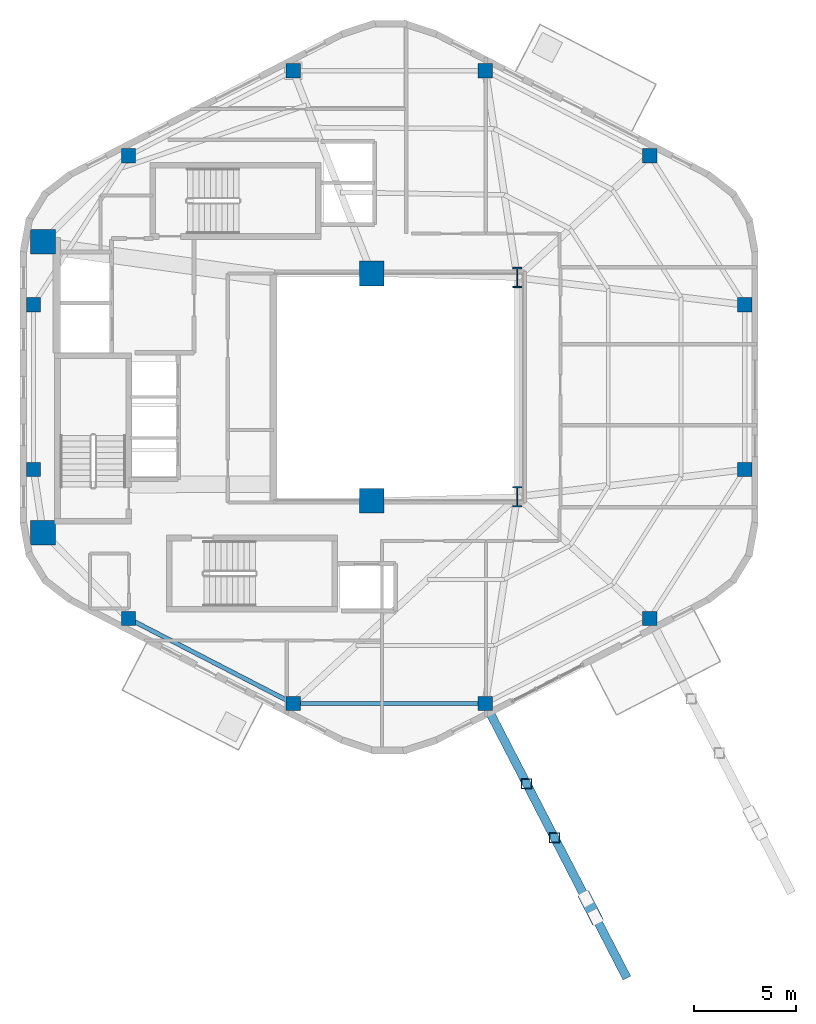
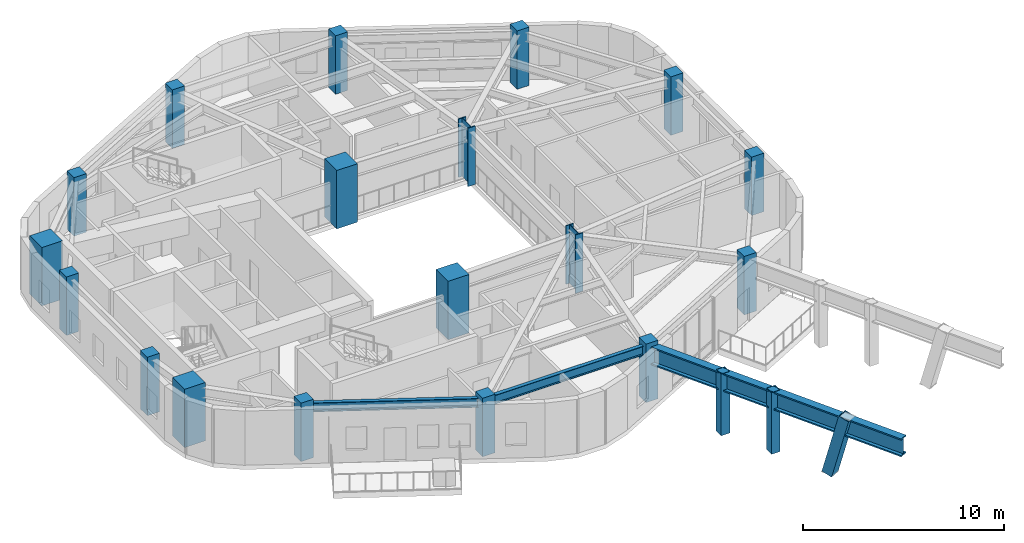
# One storey, part 1 of 10: 18 columns, 3 beams, 3 members.
"""IFC4 building model written with IfcOpenShell, lengths in metres."""

import ifcopenshell
import ifcopenshell.guid

model = None  # the IFC model being written
_history = None  # IfcOwnerHistory: only IFC2X3 demands one
_inside = {}  # id of a spatial element -> (the spatial element, [elements in it])
_under = {}  # id of a project, library or spatial element -> (it, [spatial elements below it])
_declared = {}  # id of a project -> (the project, [libraries it declares])
_typed = {}  # id of a type object -> (the type object, [elements of that type])
_made_of = {}  # id of a material, layer set ... -> (it, [elements and type objects made of it])


def new_model(schema):
    """Start an empty IFC model of exactly this schema.

    Asked for "IFC4X3", IfcOpenShell would pick the latest addendum, in which some entities
    have other attributes; the version numbers below select the first issue.
    IFC2X3 requires an IfcOwnerHistory on every rooted entity: one is made here for all.
    """
    global model, _history
    if schema == "IFC4X3":
        model = ifcopenshell.file(schema_version=(4, 3, 0, 0))
    else:
        model = ifcopenshell.file(schema=schema)
    _inside.clear()
    _under.clear()
    _declared.clear()
    _typed.clear()
    _made_of.clear()
    _history = None
    if model.schema == "IFC2X3":
        org = make("IfcOrganization", Name="unknown")
        user = make(
            "IfcPersonAndOrganization",
            ThePerson=make("IfcPerson", FamilyName="unknown"),
            TheOrganization=org,
        )
        app = make(
            "IfcApplication",
            ApplicationDeveloper=org,
            Version="unknown",
            ApplicationFullName="unknown",
            ApplicationIdentifier="unknown",
        )
        _history = make(
            "IfcOwnerHistory",
            OwningUser=user,
            OwningApplication=app,
            ChangeAction="ADDED",
            CreationDate=0,
        )
    return model


def make(cls, **values):
    """One entity of the class cls with the attributes given. An attribute that is None is left unset."""
    return model.create_entity(
        cls, **{name: value for name, value in values.items() if value is not None}
    )


def rooted(cls, **values):
    """An entity with a GlobalId (a new one), such as an element, a storey or a relation."""
    return make(cls, GlobalId=ifcopenshell.guid.new(), OwnerHistory=_history, **values)


def si_unit(unit_type, name, prefix=None):
    """IfcSIUnit, for example si_unit("LENGTHUNIT", "METRE", prefix="MILLI")."""
    return make("IfcSIUnit", UnitType=unit_type, Prefix=prefix, Name=name)


def assignment(units):
    """IfcUnitAssignment: the units of a project."""
    return None if units is None else make("IfcUnitAssignment", Units=units)


def point(xyz):
    """IfcCartesianPoint."""
    return None if xyz is None else make("IfcCartesianPoint", Coordinates=xyz)


def direction(xyz):
    """IfcDirection."""
    return None if xyz is None else make("IfcDirection", DirectionRatios=xyz)


def frame(location, z_axis=None, x_axis=None):
    """IfcAxis2Placement3D, a coordinate frame: its origin and axes. An axis left out is left unset."""
    return make(
        "IfcAxis2Placement3D",
        Location=point(location),
        Axis=direction(z_axis),
        RefDirection=direction(x_axis),
    )


def frame_2d(location, x_axis=None):
    """IfcAxis2Placement2D, a coordinate frame in the plane: its origin and x axis."""
    return make(
        "IfcAxis2Placement2D", Location=point(location), RefDirection=direction(x_axis)
    )


def origin():
    """The frame at (0, 0, 0) with its axes left unset."""
    return frame((0.0, 0.0, 0.0))


def origin_2d():
    """The frame at (0, 0) in the plane with its x axis left unset."""
    return frame_2d((0.0, 0.0))


def place(relative_to, where):
    """IfcLocalPlacement: puts the frame where relative to a parent placement (None: the world)."""
    return make(
        "IfcLocalPlacement", PlacementRelTo=relative_to, RelativePlacement=where
    )


def context(
    kind, dimensions, precision=None, world=None, true_north=None, identifier=None
):
    """IfcGeometricRepresentationContext, for example the 3D "Model" context."""
    return make(
        "IfcGeometricRepresentationContext",
        ContextIdentifier=identifier,
        ContextType=kind,
        CoordinateSpaceDimension=dimensions,
        Precision=precision,
        WorldCoordinateSystem=world,
        TrueNorth=true_north,
    )


def subcontext(parent, identifier, kind, view, scale=None):
    """IfcGeometricRepresentationSubContext, for example "Body" below "Model"."""
    return make(
        "IfcGeometricRepresentationSubContext",
        ContextIdentifier=identifier,
        ContextType=kind,
        ParentContext=parent,
        TargetScale=scale,
        TargetView=view,
    )


def project(units=None, contexts=None):
    """IfcProject with its units and contexts."""
    return rooted(
        "IfcProject",
        Name="project",
        RepresentationContexts=contexts,
        UnitsInContext=assignment(units),
    )


def spatial(cls, under=None, at=None, **own):
    """A site, building, storey or space (cls), placed at a placement, below another one or the project."""
    s = rooted(cls, ObjectPlacement=at, **own)
    if under is not None:
        _under.setdefault(under.id(), (under, []))[1].append(s)
    return s


def profile(cls, at=None, kind="AREA", **sizes):
    """A parametric profile (cls). Its sizes go by their IFC names, for example OverallWidth=200.0."""
    return make(cls, ProfileType=kind, Position=at, **sizes)


def rectangle(**sizes):
    """IfcRectangleProfileDef."""
    return profile("IfcRectangleProfileDef", **sizes)


def hollow_rectangle(**sizes):
    """IfcRectangleHollowProfileDef."""
    return profile("IfcRectangleHollowProfileDef", **sizes)


def i_section(**sizes):
    """IfcIShapeProfileDef."""
    return profile("IfcIShapeProfileDef", **sizes)


def extrude(swept, where, along, depth):
    """IfcExtrudedAreaSolid: the profile swept, set in the frame where, extruded along a direction by depth."""
    return make(
        "IfcExtrudedAreaSolid",
        SweptArea=swept,
        Position=where,
        ExtrudedDirection=direction(along),
        Depth=depth,
    )


def shape(context_of_items, identifier, shape_type, items):
    """IfcShapeRepresentation: the items that make up one representation, for example the "Body"."""
    return make(
        "IfcShapeRepresentation",
        ContextOfItems=context_of_items,
        RepresentationIdentifier=identifier,
        RepresentationType=shape_type,
        Items=items,
    )


def material(Name=None, Category=None):
    """IfcMaterial."""
    return make("IfcMaterial", Name=Name, Category=Category)


def material_profile(
    of_material, cross_section, Name=None, Category=None, Priority=None
):
    """IfcMaterialProfile: a cross section and its material."""
    return make(
        "IfcMaterialProfile",
        Name=Name,
        Material=of_material,
        Profile=cross_section,
        Priority=Priority,
        Category=Category,
    )


def profile_set(profiles, Name=None, composite=None):
    """IfcMaterialProfileSet."""
    return make(
        "IfcMaterialProfileSet",
        Name=Name,
        MaterialProfiles=profiles,
        CompositeProfile=composite,
    )


def made_of(thing, what):
    """Note that an element or type object is made of a material, layer set ...; save() writes the relation."""
    if what is not None:
        _made_of.setdefault(what.id(), (what, []))[1].append(thing)
    return thing


def type_object(cls, material=None, **own):
    """A type object (cls), such as IfcWallType, which elements share."""
    return made_of(rooted(cls, **own), material)


def element(
    cls,
    number,
    at=None,
    inside=None,
    cuts=None,
    type_object=None,
    material=None,
    context=None,
    identifier="Body",
    shape_type=None,
    held_by="IfcProductDefinitionShape",
    body=None,
    shapes=None,
    **own,
):
    """One element of the class cls, such as IfcWall. Its Tag is "e" and its number.

    at: its placement. inside: the storey or other place that contains it. cuts: it is an
    opening in that element (IfcRelVoidsElement). A single representation is given by context,
    identifier, shape_type and body (its items); several are given by shapes. held_by: the class
    of the entity that holds the representations. save() writes the other relations.
    """
    e = rooted(cls, Tag="e%d" % number, ObjectPlacement=at, **own)
    if body is not None:
        shapes = [shape(context, identifier, shape_type, body)]
    if shapes is not None:
        e.Representation = make(held_by, Representations=shapes)
    if inside is not None:
        _inside.setdefault(inside.id(), (inside, []))[1].append(e)
    if cuts is not None:
        rooted(
            "IfcRelVoidsElement", RelatingBuildingElement=cuts, RelatedOpeningElement=e
        )
    if type_object is not None:
        _typed.setdefault(type_object.id(), (type_object, []))[1].append(e)
    return made_of(e, material)


def aggregate(whole, parts):
    """IfcRelAggregates: a whole, such as a stair, and the parts it consists of."""
    return rooted("IfcRelAggregates", RelatingObject=whole, RelatedObjects=parts)


def save(model, path):
    """Write the relations noted so far, then the file.

    IfcRelAggregates (storeys below a building ...), IfcRelContainedInSpatialStructure (elements
    in a storey), IfcRelDefinesByType, IfcRelAssociatesMaterial and IfcRelDeclares: one each for
    every whole, place, type object, material and project.
    """
    for whole, parts in _under.values():
        aggregate(whole, parts)
    for where, things in _inside.values():
        rooted(
            "IfcRelContainedInSpatialStructure",
            RelatedElements=things,
            RelatingStructure=where,
        )
    for kind, things in _typed.values():
        rooted("IfcRelDefinesByType", RelatedObjects=things, RelatingType=kind)
    for what, things in _made_of.values():
        rooted("IfcRelAssociatesMaterial", RelatedObjects=things, RelatingMaterial=what)
    for by, libraries in _declared.values():
        rooted("IfcRelDeclares", RelatingContext=by, RelatedDefinitions=libraries)
    model.write(path)


model = new_model("IFC4")

# Units and contexts
model_context = context("Model", 3, precision=1e-05, world=origin(), true_north=direction((0.0, 1.0)))
body_context = subcontext(model_context, "Body", "Model", "MODEL_VIEW")
ifc_project = project(units=[si_unit("LENGTHUNIT", "METRE"), si_unit("AREAUNIT", "SQUARE_METRE"), si_unit("VOLUMEUNIT", "CUBIC_METRE"), si_unit("PLANEANGLEUNIT", "RADIAN"), si_unit("MASSUNIT", "GRAM", prefix="KILO"), si_unit("THERMODYNAMICTEMPERATUREUNIT", "KELVIN"), si_unit("POWERUNIT", "WATT")], contexts=[model_context])

# Site, building, storey
site_placement = place(None, origin())
site = spatial("IfcSite", under=ifc_project, at=site_placement, CompositionType="ELEMENT")
building_placement = place(site_placement, origin())
building = spatial("IfcBuilding", under=site, at=building_placement, Name="Skarre Station Tower", CompositionType="ELEMENT")
storey_placement = place(building_placement, frame((0.0, 0.0, 227.699951171875)))
storey = spatial("IfcBuildingStorey", under=building, at=storey_placement, Name="L62", CompositionType="ELEMENT", Elevation=227.699951171875)

# Columns
ifc_material_1 = material(Name="Concrete C60/75", Category="concrete")
ifc_material_profile_1 = material_profile(ifc_material_1, rectangle(XDim=1.199951171875, YDim=1.199951171875, at=origin_2d()), Name="Concrete C60/75")
ifc_profile_set_1 = profile_set([ifc_material_profile_1], Name="Concrete C60/75")
column_type_1 = type_object("IfcColumnType", Name="RC Structural Column RC-COL-1200X1200", PredefinedType="COLUMN", material=ifc_profile_set_1)
for number, where, z_axis, x_axis, name in (
    (1, (16.300048828125, 16.89990234375, 0.0), (0.0, 0.0, 1.0), (1.0, 0.0, 0.0), "L62 Core Column CC-SW"),
    (2, (16.300048828125, 31.10009765625, 0.0), (0.0, 0.0, 1.0), (1.0, 0.0, 0.0), "L62 Core Column CC-NW"),
    (3, (32.35009765625, 18.449951171875, 0.0), (0.0, 0.0, 1.0), (1.0, 0.0, 0.0), "L62 Core Column CC-SE"),
    (4, (32.35009765625, 29.550048828125, 0.0), (0.0, 0.0, 1.0), (1.0, 0.0, 0.0), "L62 Core Column CC-NE"),
):
    element("IfcColumn", number, at=place(storey_placement, frame(where, z_axis=z_axis, x_axis=x_axis)), inside=storey, type_object=column_type_1, Name=name, PredefinedType="COLUMN", context=body_context, shape_type="SweptSolid", body=[
        extrude(rectangle(XDim=1.199951171875, YDim=1.199951171875, at=origin_2d()), origin(), (0.0, 0.0, 1.0), 3.550048828125),
    ])
ifc_material_2 = material(Name="Concrete C50/60", Category="concrete")
ifc_material_profile_2 = material_profile(ifc_material_2, rectangle(XDim=0.699951171875, YDim=0.699951171875, at=origin_2d()), Name="Concrete C50/60")
ifc_profile_set_2 = profile_set([ifc_material_profile_2], Name="Concrete C50/60")
column_type_2 = type_object("IfcColumnType", Name="RC Structural Column RC-COL-700X700", PredefinedType="COLUMN", material=ifc_profile_set_2)
for number, where, z_axis, x_axis, name in (
    (5, (45.927001953125, 35.298095703125, 0.0), (0.0, 0.0, 1.0), (1.0, 0.0, 0.0), "L62 Zone 4 Perimeter Column F0C1"),
    (6, (37.888916015625, 39.447021484375, 0.0), (0.0, 0.0, 1.0), (1.0, 0.0, 0.0), "L62 Zone 4 Perimeter Column F0C2"),
    (7, (28.510986328125, 39.447021484375, 0.0), (0.0, 0.0, 1.0), (1.0, 0.0, 0.0), "L62 Zone 4 Perimeter Column F1C1"),
    (8, (20.472900390625, 35.298095703125, 0.0), (0.0, 0.0, 1.0), (1.0, 0.0, 0.0), "L62 Zone 4 Perimeter Column F1C2"),
    (9, (15.8369140625, 28.02099609375, 0.0), (0.0, 0.0, 1.0), (1.0, 0.0, 0.0), "L62 Zone 4 Perimeter Column F2C1"),
    (10, (15.8369140625, 19.97900390625, 0.0), (0.0, 0.0, 1.0), (1.0, 0.0, 0.0), "L62 Zone 4 Perimeter Column F2C2"),
    (11, (20.472900390625, 12.701904296875, 0.0), (0.0, 0.0, 1.0), (1.0, 0.0, 0.0), "L62 Zone 4 Perimeter Column F3C1"),
    (12, (28.510986328125, 8.552978515625, 0.0), (0.0, 0.0, 1.0), (1.0, 0.0, 0.0), "L62 Zone 4 Perimeter Column F3C2"),
    (13, (37.888916015625, 8.552978515625, 0.0), (0.0, 0.0, 1.0), (1.0, 0.0, 0.0), "L62 Zone 4 Perimeter Column F4C1"),
    (14, (45.927001953125, 12.701904296875, 0.0), (0.0, 0.0, 1.0), (1.0, 0.0, 0.0), "L62 Zone 4 Perimeter Column F4C2"),
    (15, (50.56298828125, 19.97900390625, 0.0), (0.0, 0.0, 1.0), (1.0, 0.0, 0.0), "L62 Zone 4 Perimeter Column F5C1"),
    (16, (50.56298828125, 28.02099609375, 0.0), (0.0, 0.0, 1.0), (1.0, 0.0, 0.0), "L62 Zone 4 Perimeter Column F5C2"),
):
    element("IfcColumn", number, at=place(storey_placement, frame(where, z_axis=z_axis, x_axis=x_axis)), inside=storey, type_object=column_type_2, Name=name, PredefinedType="COLUMN", context=body_context, shape_type="SweptSolid", body=[
        extrude(rectangle(XDim=0.699951171875, YDim=0.699951171875, at=origin_2d()), origin(), (0.0, 0.0, 1.0), 3.550048828125),
    ])
ifc_material_3 = material(Name="Steel ASTM A913 Grade 65", Category="steel")
ifc_material_profile_3 = material_profile(ifc_material_3, i_section(OverallWidth=0.430908203125, OverallDepth=0.987060546875, WebThickness=0.033935546875, FlangeThickness=0.06201171875, at=origin_2d()), Name="Steel ASTM A913 Grade 65")
ifc_profile_set_3 = profile_set([ifc_material_profile_3], Name="Steel ASTM A913 Grade 65")
column_type_3 = type_object("IfcColumnType", Name="Steel Column W36X441", PredefinedType="COLUMN", material=ifc_profile_set_3)
for number, where, z_axis, x_axis, name in (
    (17, (39.449951171875, 18.64990234375, 0.0), (0.0, 0.0, 1.0), (1.0, 0.0, 0.0), "L62 Atrium Spine Column AC-SE"),
    (18, (39.449951171875, 29.35009765625, 0.0), (0.0, 0.0, 1.0), (1.0, 0.0, 0.0), "L62 Atrium Spine Column AC-NE"),
):
    element("IfcColumn", number, at=place(storey_placement, frame(where, z_axis=z_axis, x_axis=x_axis)), inside=storey, type_object=column_type_3, Name=name, PredefinedType="COLUMN", context=body_context, shape_type="SweptSolid", body=[
        extrude(i_section(OverallWidth=0.430908203125, OverallDepth=0.987060546875, WebThickness=0.033935546875, FlangeThickness=0.06201171875, at=origin_2d()), origin(), (0.0, 0.0, 1.0), 3.550048828125),
    ])

# Beams
ifc_material_4 = material(Name="Steel ASTM A992 Grade 50", Category="steel")
ifc_material_profile_4 = material_profile(ifc_material_4, i_section(OverallWidth=0.214111328125, OverallDepth=0.549072265625, WebThickness=0.014892578125, FlangeThickness=0.02392578125, at=origin_2d()), Name="Steel ASTM A992 Grade 50")
ifc_profile_set_4 = profile_set([ifc_material_profile_4], Name="Steel ASTM A992 Grade 50")
beam_type_1 = type_object("IfcBeamType", Name="Steel Spandrel W21X93", PredefinedType="SPANDREL", material=ifc_profile_set_4)
beam_1_placement = place(storey_placement, frame((20.472900390625, 12.701904296875, 3.01611328125), z_axis=(0.888610011727, -0.458663544505, 0.0), x_axis=(0.458663544505, 0.888610011727, 0.0)))
element("IfcBeam", 19, at=beam_1_placement, inside=storey, type_object=beam_type_1, Name="L62 Facet Spandrel Beam 7", PredefinedType="SPANDREL", context=body_context, shape_type="SweptSolid", body=[
    extrude(i_section(OverallWidth=0.214111328125, OverallDepth=0.549072265625, WebThickness=0.014892578125, FlangeThickness=0.02392578125, at=origin_2d()), origin(), (0.0, 0.0, 1.0), 9.045654296875),
])
beam_2_placement = place(storey_placement, frame((28.510986328125, 8.552978515625, 3.01611328125), z_axis=(1.0, 0.0, 0.0), x_axis=(0.0, 1.0, 0.0)))
element("IfcBeam", 20, at=beam_2_placement, inside=storey, type_object=beam_type_1, Name="L62 Facet Spandrel Beam 8", PredefinedType="SPANDREL", context=body_context, shape_type="SweptSolid", body=[
    extrude(i_section(OverallWidth=0.214111328125, OverallDepth=0.549072265625, WebThickness=0.014892578125, FlangeThickness=0.02392578125, at=origin_2d()), origin(), (0.0, 0.0, 1.0), 9.3779296875),
])
ifc_material_profile_5 = material_profile(ifc_material_3, i_section(OverallWidth=0.424072265625, OverallDepth=1.092041015625, WebThickness=0.044921875, FlangeThickness=0.08203125, at=origin_2d()), Name="Steel ASTM A913 Grade 65")
ifc_profile_set_5 = profile_set([ifc_material_profile_5], Name="Steel ASTM A913 Grade 65")
beam_type_2 = type_object("IfcBeamType", Name="Steel Transfer Girder W40X593", PredefinedType="USERDEFINED", material=ifc_profile_set_5)
beam_3_placement = place(storey_placement, frame((37.888916015625, 8.552978515625, 2.744140625), z_axis=(0.458690756979, -0.888595965252, 0.0), x_axis=(0.888595965252, 0.458690756979, 0.0)))
element("IfcBeam", 21, at=beam_3_placement, inside=storey, type_object=beam_type_2, Name="L62 SB-5 Exoskeleton Tier-3 Transfer Girder S1", ObjectType="TRANSFER_GIRDER", PredefinedType="USERDEFINED", context=body_context, shape_type="SweptSolid", body=[
    extrude(i_section(OverallWidth=0.424072265625, OverallDepth=1.092041015625, WebThickness=0.044921875, FlangeThickness=0.08203125, at=origin_2d()), origin(), (0.0, 0.0, 1.0), 15.079833984375),
])

# Members
ifc_material_5 = material(Name="Steel ASTM A501 Grade B", Category="steel")
ifc_material_profile_6 = material_profile(ifc_material_5, hollow_rectangle(XDim=0.5, YDim=0.5, WallThickness=0.02490234375, at=origin_2d()), Name="Steel ASTM A501 Grade B")
ifc_profile_set_6 = profile_set([ifc_material_profile_6], Name="Steel ASTM A501 Grade B")
member_type_1 = type_object("IfcMemberType", Name="Steel Truss Strut HSS500X500X25", PredefinedType="STRUT", material=ifc_profile_set_6)
for number, where, z_axis, x_axis, name in (
    (22, (39.906982421875, 4.64306640625, -0.43994140625), (0.0, 0.0, 1.0), (1.0, 0.0, 0.0), "L62 SB-5 Exoskeleton Post Tier 3-1 S1"),
    (23, (41.27392578125, 1.9951171875, -0.43994140625), (0.0, 0.0, 1.0), (1.0, 0.0, 0.0), "L62 SB-5 Exoskeleton Post Tier 3-2 S1"),
):
    element("IfcMember", number, at=place(storey_placement, frame(where, z_axis=z_axis, x_axis=x_axis)), inside=storey, type_object=member_type_1, Name=name, PredefinedType="STRUT", context=body_context, shape_type="SweptSolid", body=[
        extrude(hollow_rectangle(XDim=0.5, YDim=0.5, WallThickness=0.02490234375, at=origin_2d()), origin(), (0.0, 0.0, 1.0), 3.72998046875),
    ])
ifc_material_profile_7 = material_profile(ifc_material_5, hollow_rectangle(XDim=0.60009765625, YDim=0.60009765625, WallThickness=0.028076171875, at=origin_2d()), Name="Steel ASTM A501 Grade B")
ifc_profile_set_7 = profile_set([ifc_material_profile_7], Name="Steel ASTM A501 Grade B")
member_type_2 = type_object("IfcMemberType", Name="Steel Truss Strut HSS600X600X28", PredefinedType="STRUT", material=ifc_profile_set_7)
member_placement = place(storey_placement, frame((42.81103515625, -0.98095703125, -0.43994140625), z_axis=(0.118850343874, -0.230240932122, 0.965848698781), x_axis=(0.888594994089, 0.458692638354, 0.0)))
element("IfcMember", 24, at=member_placement, inside=storey, type_object=member_type_2, Name="L62 SB-5 Exoskeleton Raking Strut Tier 3 S1", PredefinedType="STRUT", context=body_context, shape_type="SweptSolid", body=[
    extrude(hollow_rectangle(XDim=0.60009765625, YDim=0.60009765625, WallThickness=0.028076171875, at=origin_2d()), origin(), (0.0, 0.0, 1.0), 3.86181640625),
])

save(model, "model.ifc")
